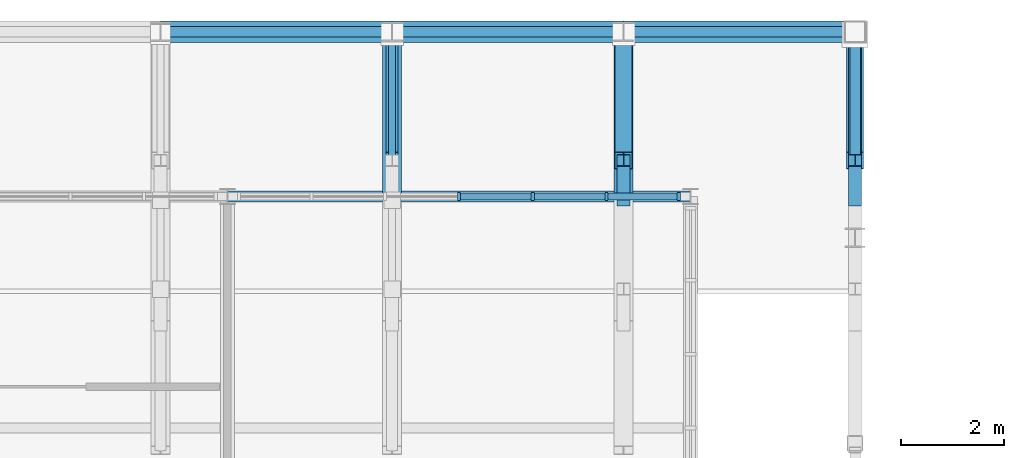
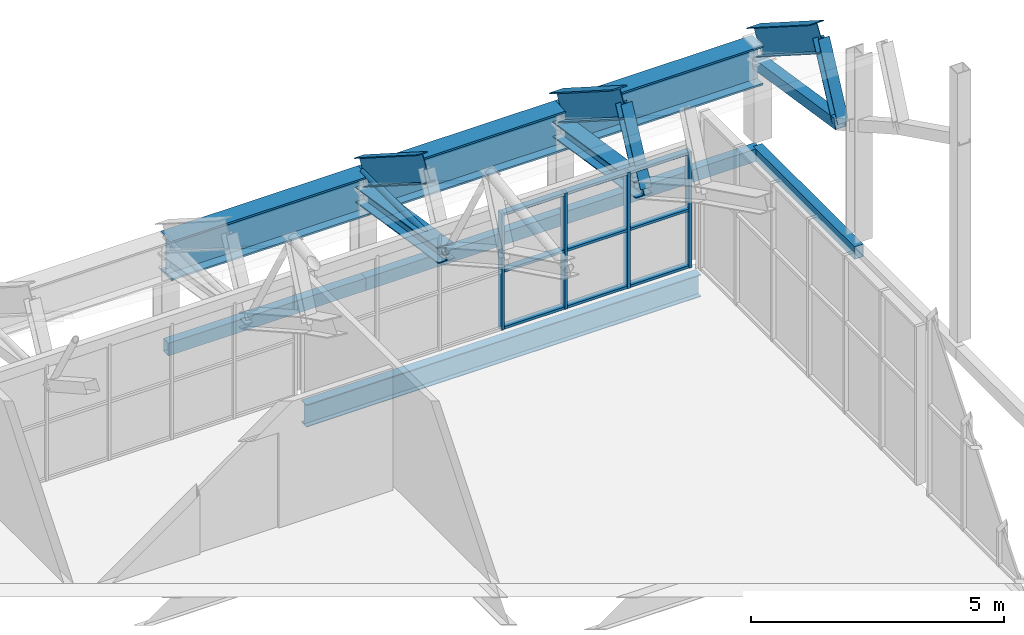
# One storey, part 89 of 134: 19 members, 11 beams, 1 element without a shape of its own.
"""IFC4 building model written with IfcOpenShell, lengths in metres."""

import ifcopenshell
import ifcopenshell.guid

model = None  # the IFC model being written
_history = None  # IfcOwnerHistory: only IFC2X3 demands one
_inside = {}  # id of a spatial element -> (the spatial element, [elements in it])
_under = {}  # id of a project, library or spatial element -> (it, [spatial elements below it])
_declared = {}  # id of a project -> (the project, [libraries it declares])
_typed = {}  # id of a type object -> (the type object, [elements of that type])
_made_of = {}  # id of a material, layer set ... -> (it, [elements and type objects made of it])


def new_model(schema):
    """Start an empty IFC model of exactly this schema.

    Asked for "IFC4X3", IfcOpenShell would pick the latest addendum, in which some entities
    have other attributes; the version numbers below select the first issue.
    IFC2X3 requires an IfcOwnerHistory on every rooted entity: one is made here for all.
    """
    global model, _history
    if schema == "IFC4X3":
        model = ifcopenshell.file(schema_version=(4, 3, 0, 0))
    else:
        model = ifcopenshell.file(schema=schema)
    _inside.clear()
    _under.clear()
    _declared.clear()
    _typed.clear()
    _made_of.clear()
    _history = None
    if model.schema == "IFC2X3":
        org = make("IfcOrganization", Name="unknown")
        user = make(
            "IfcPersonAndOrganization",
            ThePerson=make("IfcPerson", FamilyName="unknown"),
            TheOrganization=org,
        )
        app = make(
            "IfcApplication",
            ApplicationDeveloper=org,
            Version="unknown",
            ApplicationFullName="unknown",
            ApplicationIdentifier="unknown",
        )
        _history = make(
            "IfcOwnerHistory",
            OwningUser=user,
            OwningApplication=app,
            ChangeAction="ADDED",
            CreationDate=0,
        )
    return model


def make(cls, **values):
    """One entity of the class cls with the attributes given. An attribute that is None is left unset."""
    return model.create_entity(
        cls, **{name: value for name, value in values.items() if value is not None}
    )


def rooted(cls, **values):
    """An entity with a GlobalId (a new one), such as an element, a storey or a relation."""
    return make(cls, GlobalId=ifcopenshell.guid.new(), OwnerHistory=_history, **values)


def si_unit(unit_type, name, prefix=None):
    """IfcSIUnit, for example si_unit("LENGTHUNIT", "METRE", prefix="MILLI")."""
    return make("IfcSIUnit", UnitType=unit_type, Prefix=prefix, Name=name)


def assignment(units):
    """IfcUnitAssignment: the units of a project."""
    return None if units is None else make("IfcUnitAssignment", Units=units)


def point(xyz):
    """IfcCartesianPoint."""
    return None if xyz is None else make("IfcCartesianPoint", Coordinates=xyz)


def direction(xyz):
    """IfcDirection."""
    return None if xyz is None else make("IfcDirection", DirectionRatios=xyz)


def frame(location, z_axis=None, x_axis=None):
    """IfcAxis2Placement3D, a coordinate frame: its origin and axes. An axis left out is left unset."""
    return make(
        "IfcAxis2Placement3D",
        Location=point(location),
        Axis=direction(z_axis),
        RefDirection=direction(x_axis),
    )


def frame_2d(location, x_axis=None):
    """IfcAxis2Placement2D, a coordinate frame in the plane: its origin and x axis."""
    return make(
        "IfcAxis2Placement2D", Location=point(location), RefDirection=direction(x_axis)
    )


def origin():
    """The frame at (0, 0, 0) with its axes left unset."""
    return frame((0.0, 0.0, 0.0))


def origin_2d():
    """The frame at (0, 0) in the plane with its x axis left unset."""
    return frame_2d((0.0, 0.0))


def place(relative_to, where):
    """IfcLocalPlacement: puts the frame where relative to a parent placement (None: the world)."""
    return make(
        "IfcLocalPlacement", PlacementRelTo=relative_to, RelativePlacement=where
    )


def context(
    kind, dimensions, precision=None, world=None, true_north=None, identifier=None
):
    """IfcGeometricRepresentationContext, for example the 3D "Model" context."""
    return make(
        "IfcGeometricRepresentationContext",
        ContextIdentifier=identifier,
        ContextType=kind,
        CoordinateSpaceDimension=dimensions,
        Precision=precision,
        WorldCoordinateSystem=world,
        TrueNorth=true_north,
    )


def subcontext(parent, identifier, kind, view, scale=None):
    """IfcGeometricRepresentationSubContext, for example "Body" below "Model"."""
    return make(
        "IfcGeometricRepresentationSubContext",
        ContextIdentifier=identifier,
        ContextType=kind,
        ParentContext=parent,
        TargetScale=scale,
        TargetView=view,
    )


def project(units=None, contexts=None):
    """IfcProject with its units and contexts."""
    return rooted(
        "IfcProject",
        Name="project",
        RepresentationContexts=contexts,
        UnitsInContext=assignment(units),
    )


def spatial(cls, under=None, at=None, **own):
    """A site, building, storey or space (cls), placed at a placement, below another one or the project."""
    s = rooted(cls, ObjectPlacement=at, **own)
    if under is not None:
        _under.setdefault(under.id(), (under, []))[1].append(s)
    return s


def profile(cls, at=None, kind="AREA", **sizes):
    """A parametric profile (cls). Its sizes go by their IFC names, for example OverallWidth=200.0."""
    return make(cls, ProfileType=kind, Position=at, **sizes)


def rectangle(**sizes):
    """IfcRectangleProfileDef."""
    return profile("IfcRectangleProfileDef", **sizes)


def hollow_rectangle(**sizes):
    """IfcRectangleHollowProfileDef."""
    return profile("IfcRectangleHollowProfileDef", **sizes)


def hollow_circle(**sizes):
    """IfcCircleHollowProfileDef."""
    return profile("IfcCircleHollowProfileDef", **sizes)


def i_section(**sizes):
    """IfcIShapeProfileDef."""
    return profile("IfcIShapeProfileDef", **sizes)


def extrude(swept, where, along, depth):
    """IfcExtrudedAreaSolid: the profile swept, set in the frame where, extruded along a direction by depth."""
    return make(
        "IfcExtrudedAreaSolid",
        SweptArea=swept,
        Position=where,
        ExtrudedDirection=direction(along),
        Depth=depth,
    )


def shape(context_of_items, identifier, shape_type, items):
    """IfcShapeRepresentation: the items that make up one representation, for example the "Body"."""
    return make(
        "IfcShapeRepresentation",
        ContextOfItems=context_of_items,
        RepresentationIdentifier=identifier,
        RepresentationType=shape_type,
        Items=items,
    )


def material(Name=None, Category=None):
    """IfcMaterial."""
    return make("IfcMaterial", Name=Name, Category=Category)


def layer(
    of_material, thickness, ventilated=None, Name=None, Category=None, Priority=None
):
    """IfcMaterialLayer: one layer of a wall or slab, of a material (None: an air gap)."""
    return make(
        "IfcMaterialLayer",
        Material=of_material,
        LayerThickness=thickness,
        IsVentilated=ventilated,
        Name=Name,
        Category=Category,
        Priority=Priority,
    )


def layer_set(layers, Name=None):
    """IfcMaterialLayerSet."""
    return make("IfcMaterialLayerSet", MaterialLayers=layers, LayerSetName=Name)


def material_profile(
    of_material, cross_section, Name=None, Category=None, Priority=None
):
    """IfcMaterialProfile: a cross section and its material."""
    return make(
        "IfcMaterialProfile",
        Name=Name,
        Material=of_material,
        Profile=cross_section,
        Priority=Priority,
        Category=Category,
    )


def profile_set(profiles, Name=None, composite=None):
    """IfcMaterialProfileSet."""
    return make(
        "IfcMaterialProfileSet",
        Name=Name,
        MaterialProfiles=profiles,
        CompositeProfile=composite,
    )


def made_of(thing, what):
    """Note that an element or type object is made of a material, layer set ...; save() writes the relation."""
    if what is not None:
        _made_of.setdefault(what.id(), (what, []))[1].append(thing)
    return thing


def type_object(cls, material=None, **own):
    """A type object (cls), such as IfcWallType, which elements share."""
    return made_of(rooted(cls, **own), material)


def element(
    cls,
    number,
    at=None,
    inside=None,
    cuts=None,
    type_object=None,
    material=None,
    context=None,
    identifier="Body",
    shape_type=None,
    held_by="IfcProductDefinitionShape",
    body=None,
    shapes=None,
    **own,
):
    """One element of the class cls, such as IfcWall. Its Tag is "e" and its number.

    at: its placement. inside: the storey or other place that contains it. cuts: it is an
    opening in that element (IfcRelVoidsElement). A single representation is given by context,
    identifier, shape_type and body (its items); several are given by shapes. held_by: the class
    of the entity that holds the representations. save() writes the other relations.
    """
    e = rooted(cls, Tag="e%d" % number, ObjectPlacement=at, **own)
    if body is not None:
        shapes = [shape(context, identifier, shape_type, body)]
    if shapes is not None:
        e.Representation = make(held_by, Representations=shapes)
    if inside is not None:
        _inside.setdefault(inside.id(), (inside, []))[1].append(e)
    if cuts is not None:
        rooted(
            "IfcRelVoidsElement", RelatingBuildingElement=cuts, RelatedOpeningElement=e
        )
    if type_object is not None:
        _typed.setdefault(type_object.id(), (type_object, []))[1].append(e)
    return made_of(e, material)


def aggregate(whole, parts):
    """IfcRelAggregates: a whole, such as a stair, and the parts it consists of."""
    return rooted("IfcRelAggregates", RelatingObject=whole, RelatedObjects=parts)


def save(model, path):
    """Write the relations noted so far, then the file.

    IfcRelAggregates (storeys below a building ...), IfcRelContainedInSpatialStructure (elements
    in a storey), IfcRelDefinesByType, IfcRelAssociatesMaterial and IfcRelDeclares: one each for
    every whole, place, type object, material and project.
    """
    for whole, parts in _under.values():
        aggregate(whole, parts)
    for where, things in _inside.values():
        rooted(
            "IfcRelContainedInSpatialStructure",
            RelatedElements=things,
            RelatingStructure=where,
        )
    for kind, things in _typed.values():
        rooted("IfcRelDefinesByType", RelatedObjects=things, RelatingType=kind)
    for what, things in _made_of.values():
        rooted("IfcRelAssociatesMaterial", RelatedObjects=things, RelatingMaterial=what)
    for by, libraries in _declared.values():
        rooted("IfcRelDeclares", RelatingContext=by, RelatedDefinitions=libraries)
    model.write(path)


model = new_model("IFC4")

# Units and contexts
model_context = context("Model", 3, precision=1e-05, world=origin(), true_north=direction((0.0, 1.0)))
body_context = subcontext(model_context, "Body", "Model", "MODEL_VIEW")
ifc_project = project(units=[si_unit("LENGTHUNIT", "METRE"), si_unit("AREAUNIT", "SQUARE_METRE"), si_unit("VOLUMEUNIT", "CUBIC_METRE"), si_unit("PLANEANGLEUNIT", "RADIAN"), si_unit("MASSUNIT", "GRAM", prefix="KILO")], contexts=[model_context])

# Site, building, storey
site_placement = place(None, origin())
site = spatial("IfcSite", under=ifc_project, at=site_placement, CompositionType="ELEMENT")
building_placement = place(site_placement, origin())
building = spatial("IfcBuilding", under=site, at=building_placement, Name="Cazmaro Siding Exhibition Halls", CompositionType="ELEMENT")
storey_placement = place(building_placement, frame((0.0, 0.0, 12.0)))
storey = spatial("IfcBuildingStorey", under=building, at=storey_placement, Name="L02", CompositionType="ELEMENT", Elevation=12.0)

# Beams
ifc_material_1 = material(Name="Steel ASTM A992 Grade 50", Category="steel")
ifc_material_profile_1 = material_profile(ifc_material_1, i_section(OverallWidth=0.327880859375, OverallDepth=0.626953125, WebThickness=0.01708984375, FlangeThickness=0.028076171875, at=origin_2d()), Name="W24X146")
ifc_profile_set_1 = profile_set([ifc_material_profile_1], Name="Steel ASTM A992 Grade 50")
beam_type_1 = type_object("IfcBeamType", Name="AR-01", PredefinedType="USERDEFINED", material=ifc_profile_set_1)
beam_1_placement = place(storey_placement, frame((166.5, 121.5, 3.89306640625), z_axis=(0.0, 0.843339173298, -0.537381650954), x_axis=(-1.0, 0.0, 0.0)))
element("IfcBeam", 1, at=beam_1_placement, inside=storey, type_object=beam_type_1, Name="Space frame barrel vault arched rib AR-01 BM-1206", ObjectType="ARCHED RIB", PredefinedType="USERDEFINED", context=body_context, shape_type="SweptSolid", body=[
    extrude(i_section(OverallWidth=0.327880859375, OverallDepth=0.626953125, WebThickness=0.01708984375, FlangeThickness=0.028076171875, at=origin_2d()), origin(), (0.0, 0.0, 1.0), 2.96435546875),
])
ifc_material_2 = material(Name="Steel ASTM A992 Grade 50", Category="steel")
ifc_material_profile_2 = material_profile(ifc_material_2, i_section(OverallWidth=0.324951171875, OverallDepth=0.612060546875, WebThickness=0.012939453125, FlangeThickness=0.01904296875, at=origin_2d()), Name="W24X104")
ifc_profile_set_2 = profile_set([ifc_material_profile_2], Name="Steel ASTM A992 Grade 50")
beam_type_2 = type_object("IfcBeamType", Name="AR-02", PredefinedType="USERDEFINED", material=ifc_profile_set_2)
beam_2_placement = place(storey_placement, frame((171.0, 121.5, 3.89306640625), z_axis=(0.0, 0.843339173298, -0.537381650954), x_axis=(-1.0, 0.0, 0.0)))
element("IfcBeam", 2, at=beam_2_placement, inside=storey, type_object=beam_type_2, Name="Space frame barrel vault arched rib AR-02 BM-1230", ObjectType="ARCHED RIB", PredefinedType="USERDEFINED", context=body_context, shape_type="SweptSolid", body=[
    extrude(i_section(OverallWidth=0.324951171875, OverallDepth=0.612060546875, WebThickness=0.012939453125, FlangeThickness=0.01904296875, at=origin_2d()), origin(), (0.0, 0.0, 1.0), 2.96435546875),
])
ifc_material_3 = material(Name="Steel ASTM A992 Grade 50", Category="steel")
ifc_material_profile_3 = material_profile(ifc_material_3, i_section(OverallWidth=0.22900390625, OverallDepth=0.612060546875, WebThickness=0.011962890625, FlangeThickness=0.02001953125, at=origin_2d()), Name="W24X84")
ifc_profile_set_3 = profile_set([ifc_material_profile_3], Name="Steel ASTM A992 Grade 50")
beam_type_3 = type_object("IfcBeamType", Name="AR-03", PredefinedType="USERDEFINED", material=ifc_profile_set_3)
beam_3_placement = place(storey_placement, frame((162.0, 121.5, 3.89306640625), z_axis=(0.0, 0.843339173298, -0.537381650954), x_axis=(-1.0, 0.0, 0.0)))
element("IfcBeam", 3, at=beam_3_placement, inside=storey, type_object=beam_type_3, Name="Space frame barrel vault arched rib AR-03 BM-1182", ObjectType="ARCHED RIB", PredefinedType="USERDEFINED", context=body_context, shape_type="SweptSolid", body=[
    extrude(i_section(OverallWidth=0.22900390625, OverallDepth=0.612060546875, WebThickness=0.011962890625, FlangeThickness=0.02001953125, at=origin_2d()), origin(), (0.0, 0.0, 1.0), 2.96435546875),
])
ifc_material_4 = material(Name="Steel ASTM A992 Grade 50", Category="steel")
ifc_material_profile_4 = material_profile(ifc_material_4, i_section(OverallWidth=0.2099609375, OverallDepth=0.535888671875, WebThickness=0.010986328125, FlangeThickness=0.01708984375, at=origin_2d()), Name="W21X68")
ifc_profile_set_4 = profile_set([ifc_material_profile_4], Name="Steel ASTM A992 Grade 50")
beam_type_4 = type_object("IfcBeamType", Name="B-02", PredefinedType="BEAM", material=ifc_profile_set_4)
beam_4_placement = place(storey_placement, frame((158.800048828125, 120.800048828125, -0.488037109375), z_axis=(1.0, 0.0, 0.0), x_axis=(0.0, 1.0, 0.0)))
element("IfcBeam", 4, at=beam_4_placement, inside=storey, type_object=beam_type_4, Name="Beam B-02 BM-0435", PredefinedType="BEAM", context=body_context, shape_type="SweptSolid", body=[
    extrude(i_section(OverallWidth=0.2099609375, OverallDepth=0.535888671875, WebThickness=0.010986328125, FlangeThickness=0.01708984375, at=origin_2d()), origin(), (0.0, 0.0, 1.0), 9.0),
])

# Curtain wall, members
ifc_material_5 = material(Name="Anodized Bronze Aluminum and Solar-Control Low-E Glazing", Category="aluminium")
ifc_layer = layer(ifc_material_5, 0.159912109375)
ifc_layer_set = layer_set([ifc_layer], Name="Anodized Bronze Aluminum and Solar-Control Low-E Glazing")
curtain_wall_type = type_object("IfcCurtainWallType", Name="CWS-04", PredefinedType="USERDEFINED", material=ifc_layer_set)
curtain_wall_placement = place(storey_placement, origin())
curtain_wall = element("IfcCurtainWall", 5, at=curtain_wall_placement, inside=storey, type_object=curtain_wall_type, Name="Clerestory Curtain Wall CWS-04 CW-049", ObjectType="CLERESTORY CURTAIN WALL", PredefinedType="USERDEFINED")
ifc_material_6 = material(Name="Anodized Bronze Extruded Aluminum", Category="aluminium")
ifc_material_profile_5 = material_profile(ifc_material_6, rectangle(XDim=0.159912109375, YDim=0.06005859375, at=origin_2d()), Name="CWM-04")
ifc_profile_set_5 = profile_set([ifc_material_profile_5], Name="Anodized Bronze Extruded Aluminum")
member_type_1 = type_object("IfcMemberType", Name="CWM-04", PredefinedType="MULLION", material=ifc_profile_set_5)
member_1_placement = place(storey_placement, frame((167.572998046875, 120.800048828125, 0.0), z_axis=(0.0, 0.0, 1.0), x_axis=(0.0, -1.0, 0.0)))
member_1 = element("IfcMember", 6, at=member_1_placement, type_object=member_type_1, Name="CWS-04 mullion 1", PredefinedType="MULLION", context=body_context, shape_type="SweptSolid", body=[
    extrude(rectangle(XDim=0.159912109375, YDim=0.06005859375, at=origin_2d()), origin(), (0.0, 0.0, 1.0), 2.800048828125),
])
member_2_placement = place(storey_placement, frame((166.168701171875, 120.800048828125, 0.0), z_axis=(0.0, 0.0, 1.0), x_axis=(0.0, -1.0, 0.0)))
member_2 = element("IfcMember", 7, at=member_2_placement, type_object=member_type_1, Name="CWS-04 mullion 2", PredefinedType="MULLION", context=body_context, shape_type="SweptSolid", body=[
    extrude(rectangle(XDim=0.159912109375, YDim=0.06005859375, at=origin_2d()), origin(), (0.0, 0.0, 1.0), 2.800048828125),
])
member_3_placement = place(storey_placement, frame((164.734375, 120.800048828125, 0.0), z_axis=(0.0, 0.0, 1.0), x_axis=(0.0, -1.0, 0.0)))
member_3 = element("IfcMember", 8, at=member_3_placement, type_object=member_type_1, Name="CWS-04 mullion 3", PredefinedType="MULLION", context=body_context, shape_type="SweptSolid", body=[
    extrude(rectangle(XDim=0.159912109375, YDim=0.06005859375, at=origin_2d()), origin(), (0.0, 0.0, 1.0), 2.800048828125),
])
member_4_placement = place(storey_placement, frame((163.300048828125, 120.800048828125, 0.0), z_axis=(0.0, 0.0, 1.0), x_axis=(0.0, -1.0, 0.0)))
member_4 = element("IfcMember", 9, at=member_4_placement, type_object=member_type_1, Name="CWS-04 mullion 4", PredefinedType="MULLION", context=body_context, shape_type="SweptSolid", body=[
    extrude(rectangle(XDim=0.159912109375, YDim=0.06005859375, at=origin_2d()), origin(), (0.0, 0.0, 1.0), 2.800048828125),
])
ifc_material_7 = material(Name="Anodized Bronze Extruded Aluminum", Category="aluminium")
ifc_material_profile_6 = material_profile(ifc_material_7, rectangle(XDim=0.139892578125, YDim=0.06005859375, at=origin_2d()), Name="CWT-04")
ifc_profile_set_6 = profile_set([ifc_material_profile_6], Name="Anodized Bronze Extruded Aluminum")
member_type_2 = type_object("IfcMemberType", Name="CWT-04", PredefinedType="MULLION", material=ifc_profile_set_6)
member_5_placement = place(storey_placement, frame((167.54296875, 120.800048828125, 0.030029296875), z_axis=(-1.0, 0.0, 0.0), x_axis=(0.0, -1.0, 0.0)))
member_5 = element("IfcMember", 10, at=member_5_placement, type_object=member_type_2, Name="CWS-04 transom 1.1", ObjectType="TRANSOM", PredefinedType="USERDEFINED", context=body_context, shape_type="SweptSolid", body=[
    extrude(rectangle(XDim=0.139892578125, YDim=0.06005859375, at=origin_2d()), origin(), (0.0, 0.0, 1.0), 1.34423828125),
])
member_6_placement = place(storey_placement, frame((167.54296875, 120.800048828125, 1.39990234375), z_axis=(-1.0, 0.0, 0.0), x_axis=(0.0, -1.0, 0.0)))
member_6 = element("IfcMember", 11, at=member_6_placement, type_object=member_type_2, Name="CWS-04 transom 1.2", ObjectType="TRANSOM", PredefinedType="USERDEFINED", context=body_context, shape_type="SweptSolid", body=[
    extrude(rectangle(XDim=0.139892578125, YDim=0.06005859375, at=origin_2d()), origin(), (0.0, 0.0, 1.0), 1.34423828125),
])
member_7_placement = place(storey_placement, frame((167.54296875, 120.800048828125, 2.77001953125), z_axis=(-1.0, 0.0, 0.0), x_axis=(0.0, -1.0, 0.0)))
member_7 = element("IfcMember", 12, at=member_7_placement, type_object=member_type_2, Name="CWS-04 transom 1.3", ObjectType="TRANSOM", PredefinedType="USERDEFINED", context=body_context, shape_type="SweptSolid", body=[
    extrude(rectangle(XDim=0.139892578125, YDim=0.06005859375, at=origin_2d()), origin(), (0.0, 0.0, 1.0), 1.34423828125),
])
member_8_placement = place(storey_placement, frame((166.138671875, 120.800048828125, 0.030029296875), z_axis=(-1.0, 0.0, 0.0), x_axis=(0.0, -1.0, 0.0)))
member_8 = element("IfcMember", 13, at=member_8_placement, type_object=member_type_2, Name="CWS-04 transom 2.1", ObjectType="TRANSOM", PredefinedType="USERDEFINED", context=body_context, shape_type="SweptSolid", body=[
    extrude(rectangle(XDim=0.139892578125, YDim=0.06005859375, at=origin_2d()), origin(), (0.0, 0.0, 1.0), 1.374267578125),
])
member_9_placement = place(storey_placement, frame((166.138671875, 120.800048828125, 1.39990234375), z_axis=(-1.0, 0.0, 0.0), x_axis=(0.0, -1.0, 0.0)))
member_9 = element("IfcMember", 14, at=member_9_placement, type_object=member_type_2, Name="CWS-04 transom 2.2", ObjectType="TRANSOM", PredefinedType="USERDEFINED", context=body_context, shape_type="SweptSolid", body=[
    extrude(rectangle(XDim=0.139892578125, YDim=0.06005859375, at=origin_2d()), origin(), (0.0, 0.0, 1.0), 1.374267578125),
])
member_10_placement = place(storey_placement, frame((166.138671875, 120.800048828125, 2.77001953125), z_axis=(-1.0, 0.0, 0.0), x_axis=(0.0, -1.0, 0.0)))
member_10 = element("IfcMember", 15, at=member_10_placement, type_object=member_type_2, Name="CWS-04 transom 2.3", ObjectType="TRANSOM", PredefinedType="USERDEFINED", context=body_context, shape_type="SweptSolid", body=[
    extrude(rectangle(XDim=0.139892578125, YDim=0.06005859375, at=origin_2d()), origin(), (0.0, 0.0, 1.0), 1.374267578125),
])
member_11_placement = place(storey_placement, frame((164.704345703125, 120.800048828125, 0.030029296875), z_axis=(-1.0, 0.0, 0.0), x_axis=(0.0, -1.0, 0.0)))
member_11 = element("IfcMember", 16, at=member_11_placement, type_object=member_type_2, Name="CWS-04 transom 3.1", ObjectType="TRANSOM", PredefinedType="USERDEFINED", context=body_context, shape_type="SweptSolid", body=[
    extrude(rectangle(XDim=0.139892578125, YDim=0.06005859375, at=origin_2d()), origin(), (0.0, 0.0, 1.0), 1.374267578125),
])
member_12_placement = place(storey_placement, frame((164.704345703125, 120.800048828125, 1.39990234375), z_axis=(-1.0, 0.0, 0.0), x_axis=(0.0, -1.0, 0.0)))
member_12 = element("IfcMember", 17, at=member_12_placement, type_object=member_type_2, Name="CWS-04 transom 3.2", ObjectType="TRANSOM", PredefinedType="USERDEFINED", context=body_context, shape_type="SweptSolid", body=[
    extrude(rectangle(XDim=0.139892578125, YDim=0.06005859375, at=origin_2d()), origin(), (0.0, 0.0, 1.0), 1.374267578125),
])
member_13_placement = place(storey_placement, frame((164.704345703125, 120.800048828125, 2.77001953125), z_axis=(-1.0, 0.0, 0.0), x_axis=(0.0, -1.0, 0.0)))
member_13 = element("IfcMember", 18, at=member_13_placement, type_object=member_type_2, Name="CWS-04 transom 3.3", ObjectType="TRANSOM", PredefinedType="USERDEFINED", context=body_context, shape_type="SweptSolid", body=[
    extrude(rectangle(XDim=0.139892578125, YDim=0.06005859375, at=origin_2d()), origin(), (0.0, 0.0, 1.0), 1.374267578125),
])
aggregate(curtain_wall, [member_1, member_2, member_3, member_4, member_5, member_6, member_7, member_8, member_9, member_10, member_11, member_12, member_13])

# Beams
ifc_material_8 = material(Name="Steel ASTM A992 Grade 50", Category="steel")
ifc_material_profile_7 = material_profile(ifc_material_8, i_section(OverallWidth=0.424072265625, OverallDepth=0.947021484375, WebThickness=0.02392578125, FlangeThickness=0.04296875, at=origin_2d()), Name="W36X302")
ifc_profile_set_7 = profile_set([ifc_material_profile_7], Name="Steel ASTM A992 Grade 50")
beam_type_5 = type_object("IfcBeamType", Name="G-01", PredefinedType="USERDEFINED", material=ifc_profile_set_7)
for number, where, z_axis, x_axis, name in (
    (19, (157.5, 124.0, 1.826904296875), (1.0, 0.0, 0.0), (0.0, 1.0, 0.0), "Beam G-01 BM-0216"),
    (20, (162.0, 124.0, 1.826904296875), (1.0, 0.0, 0.0), (0.0, 1.0, 0.0), "Beam G-01 BM-0222"),
    (21, (166.5, 124.0, 1.826904296875), (1.0, 0.0, 0.0), (0.0, 1.0, 0.0), "Beam G-01 BM-0228"),
):
    element("IfcBeam", number, at=place(storey_placement, frame(where, z_axis=z_axis, x_axis=x_axis)), inside=storey, type_object=beam_type_5, Name=name, ObjectType="GIRDER", PredefinedType="USERDEFINED", context=body_context, shape_type="SweptSolid", body=[
        extrude(i_section(OverallWidth=0.424072265625, OverallDepth=0.947021484375, WebThickness=0.02392578125, FlangeThickness=0.04296875, at=origin_2d()), origin(), (0.0, 0.0, 1.0), 4.5),
    ])
ifc_material_9 = material(Name="Steel ASTM A500 Grade C", Category="steel")
ifc_material_profile_8 = material_profile(ifc_material_9, hollow_rectangle(XDim=0.202880859375, YDim=0.304931640625, WallThickness=0.011962890625, at=origin_2d()), Name="HSS12X8X1/2")
ifc_profile_set_8 = profile_set([ifc_material_profile_8], Name="Steel ASTM A500 Grade C")
beam_type_6 = type_object("IfcBeamType", Name="SP-01", PredefinedType="SPANDREL", material=ifc_profile_set_8)
beam_5_placement = place(storey_placement, frame((171.0, 120.0, -0.373046875), z_axis=(0.0, 1.0, 0.0), x_axis=(-1.0, 0.0, 0.0)))
element("IfcBeam", 22, at=beam_5_placement, inside=storey, type_object=beam_type_6, Name="Beam SP-01 BM-0060", PredefinedType="SPANDREL", context=body_context, shape_type="SweptSolid", body=[
    extrude(hollow_rectangle(XDim=0.202880859375, YDim=0.304931640625, WallThickness=0.011962890625, at=origin_2d()), origin(), (0.0, 0.0, 1.0), 4.0),
])
for number, where, z_axis, x_axis, name in (
    (23, (157.5, 124.0, -0.373046875), (1.0, 0.0, 0.0), (0.0, 1.0, 0.0), "Beam SP-01 BM-0215"),
    (24, (162.0, 124.0, -0.373046875), (1.0, 0.0, 0.0), (0.0, 1.0, 0.0), "Beam SP-01 BM-0221"),
    (25, (166.5, 124.0, -0.373046875), (1.0, 0.0, 0.0), (0.0, 1.0, 0.0), "Beam SP-01 BM-0227"),
):
    element("IfcBeam", number, at=place(storey_placement, frame(where, z_axis=z_axis, x_axis=x_axis)), inside=storey, type_object=beam_type_6, Name=name, PredefinedType="SPANDREL", context=body_context, shape_type="SweptSolid", body=[
        extrude(hollow_rectangle(XDim=0.202880859375, YDim=0.304931640625, WallThickness=0.011962890625, at=origin_2d()), origin(), (0.0, 0.0, 1.0), 4.5),
    ])

# Members
ifc_material_10 = material(Name="Steel ASTM A500 Grade C", Category="steel")
ifc_material_profile_9 = material_profile(ifc_material_10, hollow_rectangle(XDim=0.25390625, YDim=0.25390625, WallThickness=0.014892578125, at=origin_2d()), Name="HSS10X10X5/8")
ifc_profile_set_9 = profile_set([ifc_material_profile_9], Name="Steel ASTM A500 Grade C")
member_type_3 = type_object("IfcMemberType", Name="TC-01", PredefinedType="CHORD", material=ifc_profile_set_9)
member_14_placement = place(storey_placement, frame((171.0, 120.72900390625, 2.305908203125), z_axis=(0.0, 0.988252010809, -0.152833121839), x_axis=(-1.0, 0.0, 0.0)))
element("IfcMember", 26, at=member_14_placement, inside=storey, type_object=member_type_3, Name="Space frame barrel vault bottom chord TC-01 MEM-1940", PredefinedType="CHORD", context=body_context, shape_type="SweptSolid", body=[
    extrude(hollow_rectangle(XDim=0.25390625, YDim=0.25390625, WallThickness=0.014892578125, at=origin_2d()), origin(), (0.0, 0.0, 1.0), 3.309814453125),
])
ifc_material_11 = material(Name="Steel ASTM A992 Grade 50", Category="steel")
ifc_material_profile_10 = material_profile(ifc_material_11, i_section(OverallWidth=0.37109375, OverallDepth=0.364013671875, WebThickness=0.012939453125, FlangeThickness=0.02197265625, at=origin_2d()), Name="W14X109")
ifc_profile_set_10 = profile_set([ifc_material_profile_10], Name="Steel ASTM A992 Grade 50")
member_type_4 = type_object("IfcMemberType", Name="TC-06", PredefinedType="CHORD", material=ifc_profile_set_10)
for number, where, z_axis, x_axis, name in (
    (27, (162.0, 120.72900390625, 2.305908203125), (0.0, 0.988252010809, -0.152833121839), (-1.0, 0.0, 0.0), "Space frame barrel vault bottom chord TC-06 MEM-1845"),
    (28, (166.5, 120.72900390625, 2.305908203125), (0.0, 0.988252010809, -0.152833121839), (-1.0, 0.0, 0.0), "Space frame barrel vault bottom chord TC-06 MEM-1893"),
):
    element("IfcMember", number, at=place(storey_placement, frame(where, z_axis=z_axis, x_axis=x_axis)), inside=storey, type_object=member_type_4, Name=name, PredefinedType="CHORD", context=body_context, shape_type="SweptSolid", body=[
        extrude(i_section(OverallWidth=0.37109375, OverallDepth=0.364013671875, WebThickness=0.012939453125, FlangeThickness=0.02197265625, at=origin_2d()), origin(), (0.0, 0.0, 1.0), 3.309814453125),
    ])
ifc_material_12 = material(Name="Steel ASTM A992 Grade 50", Category="steel")
ifc_material_profile_11 = material_profile(ifc_material_12, i_section(OverallWidth=0.25390625, OverallDepth=0.25390625, WebThickness=0.009033203125, FlangeThickness=0.013916015625, at=origin_2d()), Name="W10X49")
ifc_profile_set_11 = profile_set([ifc_material_profile_11], Name="Steel ASTM A992 Grade 50")
member_type_5 = type_object("IfcMemberType", Name="TP-04", PredefinedType="POST", material=ifc_profile_set_11)
for number, where, z_axis, x_axis, name in (
    (29, (166.5, 120.72900390625, 2.305908203125), (0.0, 0.436945543824, 0.89948796086), (-1.0, 0.0, 0.0), "Space frame barrel vault post TP-04 MEM-1916"),
    (30, (171.0, 120.72900390625, 2.305908203125), (0.0, 0.436945543824, 0.89948796086), (-1.0, 0.0, 0.0), "Space frame barrel vault post TP-04 MEM-1963"),
):
    element("IfcMember", number, at=place(storey_placement, frame(where, z_axis=z_axis, x_axis=x_axis)), inside=storey, type_object=member_type_5, Name=name, PredefinedType="POST", context=body_context, shape_type="SweptSolid", body=[
        extrude(i_section(OverallWidth=0.25390625, OverallDepth=0.25390625, WebThickness=0.009033203125, FlangeThickness=0.013916015625, at=origin_2d()), origin(), (0.0, 0.0, 1.0), 1.764404296875),
    ])
ifc_material_13 = material(Name="Steel ASTM A500 Grade C", Category="steel")
ifc_material_profile_12 = material_profile(ifc_material_13, hollow_circle(Radius=0.070556640625, WallThickness=0.01904296875, at=origin_2d()), Name="PIPE5XXS")
ifc_profile_set_12 = profile_set([ifc_material_profile_12], Name="Steel ASTM A500 Grade C")
member_type_6 = type_object("IfcMemberType", Name="WB-07", PredefinedType="BRACE", material=ifc_profile_set_12)
member_15_placement = place(storey_placement, frame((162.0, 120.72900390625, 2.305908203125), z_axis=(0.0, 0.999998395604, -0.001791309262), x_axis=(-1.0, 0.0, 0.0)))
element("IfcMember", 31, at=member_15_placement, inside=storey, type_object=member_type_6, Name="Space frame barrel vault diagonal WB-07 MEM-1846", PredefinedType="BRACE", context=body_context, shape_type="SweptSolid", body=[
    extrude(hollow_circle(Radius=0.070556640625, WallThickness=0.01904296875, at=origin_2d()), origin(), (0.0, 0.0, 1.0), 3.27099609375),
])

save(model, "model.ifc")
